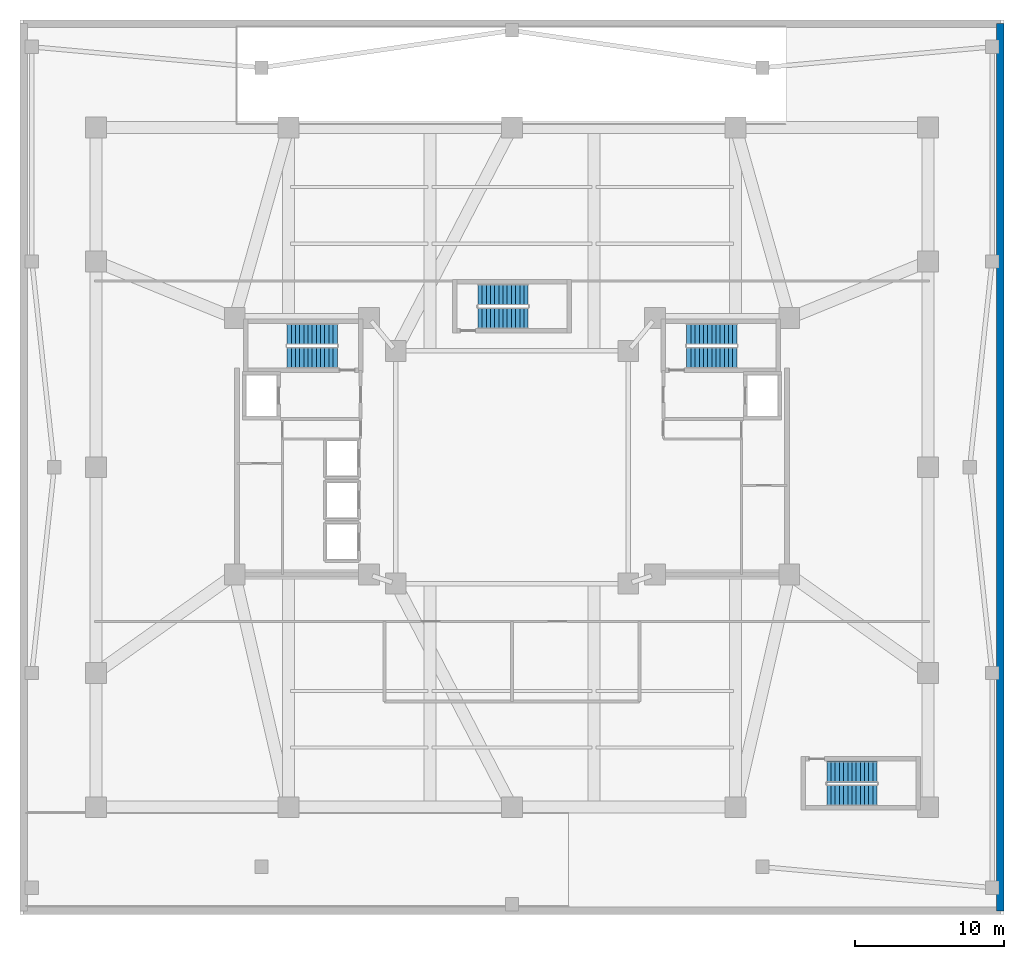
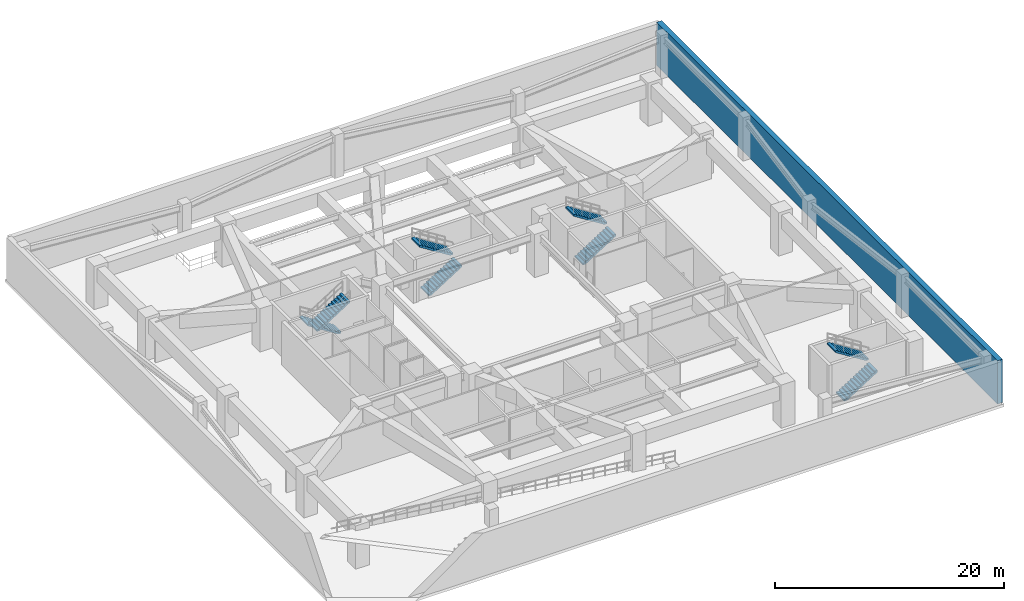
# One storey, part 5 of 8: 8 stair flights, 1 wall, 4 elements without a shape of their own.
"""IFC4 building model written with IfcOpenShell, lengths in metres."""

from ifc_helpers import new_model, si_unit, direction, frame, frame_2d, origin, place, context, subcontext, project, spatial, polyline, rectangle, outline, extrude, material, layer, layer_set, type_object, element, aggregate, save


model = new_model("IFC4")

# Units and contexts
model_context = context("Model", 3, precision=1e-05, world=origin(), true_north=direction((0.0, 1.0)))
body_context = subcontext(model_context, "Body", "Model", "MODEL_VIEW")
ifc_project = project(units=[si_unit("LENGTHUNIT", "METRE"), si_unit("AREAUNIT", "SQUARE_METRE"), si_unit("VOLUMEUNIT", "CUBIC_METRE"), si_unit("PLANEANGLEUNIT", "RADIAN"), si_unit("MASSUNIT", "GRAM", prefix="KILO")], contexts=[model_context])

# Site, building, storey
site_placement = place(None, origin())
site = spatial("IfcSite", under=ifc_project, at=site_placement, CompositionType="ELEMENT")
building_placement = place(site_placement, origin())
building = spatial("IfcBuilding", under=site, at=building_placement, Name="Tarnavaz Court Tower", CompositionType="ELEMENT")
storey_placement = place(building_placement, frame((0.0, 0.0, -4.60009765625)))
storey = spatial("IfcBuildingStorey", under=building, at=storey_placement, Name="B01", CompositionType="ELEMENT", Elevation=-4.60009765625)

# Wall
ifc_material_1 = material(Name="Concrete C50/60", Category="concrete")
ifc_layer = layer(ifc_material_1, 0.5)
ifc_layer_set = layer_set([ifc_layer], Name="Concrete C50/60")
wall_type = type_object("IfcWallType", Name="WL-RET-500", PredefinedType="USERDEFINED", material=ifc_layer_set)
wall_placement = place(storey_placement, frame((32.75, 29.75, 0.0), z_axis=(0.0, 0.0, 1.0), x_axis=(0.0, -1.0, 0.0)))
element("IfcWall", 1, at=wall_placement, inside=storey, type_object=wall_type, Name="B01 Perimeter Retaining Wall 2", ObjectType="RETAINING WALL", PredefinedType="USERDEFINED", context=body_context, shape_type="SweptSolid", body=[
    extrude(rectangle(XDim=59.5, YDim=0.5, at=frame_2d((29.75, 0.0))), origin(), (0.0, 0.0, 1.0), 4.60009765625),
])

# Stair, stair flights
ifc_material_2 = material(Name="Concrete C40/50", Category="concrete")
stair_type = type_object("IfcStairType", Name="ST-TWR-26R", PredefinedType="HALF_TURN_STAIR", material=ifc_material_2)
stair_1_placement = place(storey_placement, origin())
stair_1 = element("IfcStair", 2, at=stair_1_placement, inside=storey, type_object=stair_type, Name="B01 West Core Pressurized Exit Stair ST-W1", PredefinedType="HALF_TURN_STAIR")
stair_flight_type = type_object("IfcStairFlightType", Name="SFL-RC-26R", PredefinedType="STRAIGHT", material=ifc_material_2)
stair_flight_1_placement = place(storey_placement, frame((-11.719970703125, 8.929931640625, 0.0), z_axis=(0.0, 0.0, 1.0), x_axis=(-1.0, 0.0, 0.0)))
stair_flight_1 = element("IfcStairFlight", 3, at=stair_flight_1_placement, type_object=stair_flight_type, Name="ST-W1 flight 1", NumberOfRisers=13, NumberOfTreads=12, PredefinedType="STRAIGHT", RiserHeight=0.176923077, TreadLength=0.28, context=body_context, shape_type="SweptSolid", body=[
    extrude(outline(polyline([(0.0, 0.0), (0.0, 0.177001953125), (0.280029296875, 0.177001953125), (0.280029296875, 0.353759765625), (0.56005859375, 0.353759765625), (0.56005859375, 0.53076171875), (0.840087890625, 0.53076171875), (0.840087890625, 0.707763671875), (1.1201171875, 0.707763671875), (1.1201171875, 0.884521484375), (1.39990234375, 0.884521484375), (1.39990234375, 1.0615234375), (1.679931640625, 1.0615234375), (1.679931640625, 1.238525390625), (1.9599609375, 1.238525390625), (1.9599609375, 1.415283203125), (2.239990234375, 1.415283203125), (2.239990234375, 1.59228515625), (2.52001953125, 1.59228515625), (2.52001953125, 1.769287109375), (2.800048828125, 1.769287109375), (2.800048828125, 1.946044921875), (3.080078125, 1.946044921875), (3.080078125, 2.123046875), (3.360107421875, 2.123046875), (3.360107421875, 2.300048828125), (3.360107421875, 1.94580078125), (0.280517578125, 0.0), (0.0, 0.0)])), frame((0.0, 0.7099609375, 0.0), z_axis=(0.0, -1.0, 0.0), x_axis=(1.0, 0.0, 0.0)), (0.0, 0.0, 1.0), 1.419921875),
])
stair_flight_2_placement = place(storey_placement, frame((-15.080078125, 7.360107421875, 2.300048828125), z_axis=(0.0, 0.0, 1.0), x_axis=(1.0, 0.0, 0.0)))
stair_flight_2 = element("IfcStairFlight", 4, at=stair_flight_2_placement, type_object=stair_flight_type, Name="ST-W1 flight 2", NumberOfRisers=13, NumberOfTreads=12, PredefinedType="STRAIGHT", RiserHeight=0.176923077, TreadLength=0.28, context=body_context, shape_type="SweptSolid", body=[
    extrude(outline(polyline([(0.0, 0.0), (0.0, 0.177001953125), (0.280029296875, 0.177001953125), (0.280029296875, 0.353759765625), (0.56005859375, 0.353759765625), (0.56005859375, 0.53076171875), (0.840087890625, 0.53076171875), (0.840087890625, 0.707763671875), (1.1201171875, 0.707763671875), (1.1201171875, 0.884521484375), (1.39990234375, 0.884521484375), (1.39990234375, 1.0615234375), (1.679931640625, 1.0615234375), (1.679931640625, 1.238525390625), (1.9599609375, 1.238525390625), (1.9599609375, 1.415283203125), (2.239990234375, 1.415283203125), (2.239990234375, 1.59228515625), (2.52001953125, 1.59228515625), (2.52001953125, 1.769287109375), (2.800048828125, 1.769287109375), (2.800048828125, 1.946044921875), (3.080078125, 1.946044921875), (3.080078125, 2.123046875), (3.360107421875, 2.123046875), (3.360107421875, 2.300048828125), (3.360107421875, 1.94580078125), (0.280517578125, 0.0), (0.0, 0.0)])), frame((0.0, 0.7099609375, 0.0), z_axis=(0.0, -1.0, 0.0), x_axis=(1.0, 0.0, 0.0)), (0.0, 0.0, 1.0), 1.419921875),
])
aggregate(stair_1, [stair_flight_1, stair_flight_2])

stair_2_placement = place(storey_placement, origin())
stair_2 = element("IfcStair", 5, at=stair_2_placement, inside=storey, type_object=stair_type, Name="B01 East Core Pressurized Exit Stair ST-E1", PredefinedType="HALF_TURN_STAIR")
stair_flight_3_placement = place(storey_placement, frame((11.719970703125, 7.360107421875, 0.0), z_axis=(0.0, 0.0, 1.0), x_axis=(1.0, 0.0, 0.0)))
stair_flight_3 = element("IfcStairFlight", 6, at=stair_flight_3_placement, type_object=stair_flight_type, Name="ST-E1 flight 1", NumberOfRisers=13, NumberOfTreads=12, PredefinedType="STRAIGHT", RiserHeight=0.176923077, TreadLength=0.28, context=body_context, shape_type="SweptSolid", body=[
    extrude(outline(polyline([(0.0, 0.0), (0.0, 0.177001953125), (0.280029296875, 0.177001953125), (0.280029296875, 0.353759765625), (0.56005859375, 0.353759765625), (0.56005859375, 0.53076171875), (0.840087890625, 0.53076171875), (0.840087890625, 0.707763671875), (1.1201171875, 0.707763671875), (1.1201171875, 0.884521484375), (1.39990234375, 0.884521484375), (1.39990234375, 1.0615234375), (1.679931640625, 1.0615234375), (1.679931640625, 1.238525390625), (1.9599609375, 1.238525390625), (1.9599609375, 1.415283203125), (2.239990234375, 1.415283203125), (2.239990234375, 1.59228515625), (2.52001953125, 1.59228515625), (2.52001953125, 1.769287109375), (2.800048828125, 1.769287109375), (2.800048828125, 1.946044921875), (3.080078125, 1.946044921875), (3.080078125, 2.123046875), (3.360107421875, 2.123046875), (3.360107421875, 2.300048828125), (3.360107421875, 1.94580078125), (0.280517578125, 0.0), (0.0, 0.0)])), frame((0.0, 0.7099609375, 0.0), z_axis=(0.0, -1.0, 0.0), x_axis=(1.0, 0.0, 0.0)), (0.0, 0.0, 1.0), 1.419921875),
])
stair_flight_4_placement = place(storey_placement, frame((15.080078125, 8.929931640625, 2.300048828125), z_axis=(0.0, 0.0, 1.0), x_axis=(-1.0, 0.0, 0.0)))
stair_flight_4 = element("IfcStairFlight", 7, at=stair_flight_4_placement, type_object=stair_flight_type, Name="ST-E1 flight 2", NumberOfRisers=13, NumberOfTreads=12, PredefinedType="STRAIGHT", RiserHeight=0.176923077, TreadLength=0.28, context=body_context, shape_type="SweptSolid", body=[
    extrude(outline(polyline([(0.0, 0.0), (0.0, 0.177001953125), (0.280029296875, 0.177001953125), (0.280029296875, 0.353759765625), (0.56005859375, 0.353759765625), (0.56005859375, 0.53076171875), (0.840087890625, 0.53076171875), (0.840087890625, 0.707763671875), (1.1201171875, 0.707763671875), (1.1201171875, 0.884521484375), (1.39990234375, 0.884521484375), (1.39990234375, 1.0615234375), (1.679931640625, 1.0615234375), (1.679931640625, 1.238525390625), (1.9599609375, 1.238525390625), (1.9599609375, 1.415283203125), (2.239990234375, 1.415283203125), (2.239990234375, 1.59228515625), (2.52001953125, 1.59228515625), (2.52001953125, 1.769287109375), (2.800048828125, 1.769287109375), (2.800048828125, 1.946044921875), (3.080078125, 1.946044921875), (3.080078125, 2.123046875), (3.360107421875, 2.123046875), (3.360107421875, 2.300048828125), (3.360107421875, 1.94580078125), (0.280517578125, 0.0), (0.0, 0.0)])), frame((0.0, 0.7099609375, 0.0), z_axis=(0.0, -1.0, 0.0), x_axis=(1.0, 0.0, 0.0)), (0.0, 0.0, 1.0), 1.419921875),
])
aggregate(stair_2, [stair_flight_3, stair_flight_4])

stair_3_placement = place(storey_placement, origin())
stair_3 = element("IfcStair", 8, at=stair_3_placement, inside=storey, type_object=stair_type, Name="B01 North Ring Pressurized Exit Stair ST-N1", PredefinedType="HALF_TURN_STAIR")
stair_flight_5_placement = place(storey_placement, frame((-2.280029296875, 10.010009765625, 0.0), z_axis=(0.0, 0.0, 1.0), x_axis=(1.0, 0.0, 0.0)))
stair_flight_5 = element("IfcStairFlight", 9, at=stair_flight_5_placement, type_object=stair_flight_type, Name="ST-N1 flight 1", NumberOfRisers=13, NumberOfTreads=12, PredefinedType="STRAIGHT", RiserHeight=0.176923077, TreadLength=0.28, context=body_context, shape_type="SweptSolid", body=[
    extrude(outline(polyline([(0.0, 0.0), (0.0, 0.177001953125), (0.280029296875, 0.177001953125), (0.280029296875, 0.353759765625), (0.56005859375, 0.353759765625), (0.56005859375, 0.53076171875), (0.840087890625, 0.53076171875), (0.840087890625, 0.707763671875), (1.1201171875, 0.707763671875), (1.1201171875, 0.884521484375), (1.39990234375, 0.884521484375), (1.39990234375, 1.0615234375), (1.679931640625, 1.0615234375), (1.679931640625, 1.238525390625), (1.9599609375, 1.238525390625), (1.9599609375, 1.415283203125), (2.239990234375, 1.415283203125), (2.239990234375, 1.59228515625), (2.52001953125, 1.59228515625), (2.52001953125, 1.769287109375), (2.800048828125, 1.769287109375), (2.800048828125, 1.946044921875), (3.080078125, 1.946044921875), (3.080078125, 2.123046875), (3.360107421875, 2.123046875), (3.360107421875, 2.300048828125), (3.360107421875, 1.94580078125), (0.280517578125, 0.0), (0.0, 0.0)])), frame((0.0, 0.7099609375, 0.0), z_axis=(0.0, -1.0, 0.0), x_axis=(1.0, 0.0, 0.0)), (0.0, 0.0, 1.0), 1.419921875),
])
stair_flight_6_placement = place(storey_placement, frame((1.080078125, 11.580078125, 2.300048828125), z_axis=(0.0, 0.0, 1.0), x_axis=(-1.0, 0.0, 0.0)))
stair_flight_6 = element("IfcStairFlight", 10, at=stair_flight_6_placement, type_object=stair_flight_type, Name="ST-N1 flight 2", NumberOfRisers=13, NumberOfTreads=12, PredefinedType="STRAIGHT", RiserHeight=0.176923077, TreadLength=0.28, context=body_context, shape_type="SweptSolid", body=[
    extrude(outline(polyline([(0.0, 0.0), (0.0, 0.177001953125), (0.280029296875, 0.177001953125), (0.280029296875, 0.353759765625), (0.56005859375, 0.353759765625), (0.56005859375, 0.53076171875), (0.840087890625, 0.53076171875), (0.840087890625, 0.707763671875), (1.1201171875, 0.707763671875), (1.1201171875, 0.884521484375), (1.39990234375, 0.884521484375), (1.39990234375, 1.0615234375), (1.679931640625, 1.0615234375), (1.679931640625, 1.238525390625), (1.9599609375, 1.238525390625), (1.9599609375, 1.415283203125), (2.239990234375, 1.415283203125), (2.239990234375, 1.59228515625), (2.52001953125, 1.59228515625), (2.52001953125, 1.769287109375), (2.800048828125, 1.769287109375), (2.800048828125, 1.946044921875), (3.080078125, 1.946044921875), (3.080078125, 2.123046875), (3.360107421875, 2.123046875), (3.360107421875, 2.300048828125), (3.360107421875, 1.94580078125), (0.280517578125, 0.0), (0.0, 0.0)])), frame((0.0, 0.7099609375, 0.0), z_axis=(0.0, -1.0, 0.0), x_axis=(1.0, 0.0, 0.0)), (0.0, 0.0, 1.0), 1.419921875),
])
aggregate(stair_3, [stair_flight_5, stair_flight_6])

stair_4_placement = place(storey_placement, origin())
stair_4 = element("IfcStair", 11, at=stair_4_placement, inside=storey, type_object=stair_type, Name="B01 Podium Clinic Exit Stair ST-P1", PredefinedType="HALF_TURN_STAIR")
stair_flight_7_placement = place(storey_placement, frame((21.1201171875, -21.989990234375, 0.0), z_axis=(0.0, 0.0, 1.0), x_axis=(1.0, 0.0, 0.0)))
stair_flight_7 = element("IfcStairFlight", 12, at=stair_flight_7_placement, type_object=stair_flight_type, Name="ST-P1 flight 1", NumberOfRisers=13, NumberOfTreads=12, PredefinedType="STRAIGHT", RiserHeight=0.176923077, TreadLength=0.28, context=body_context, shape_type="SweptSolid", body=[
    extrude(outline(polyline([(0.0, 0.0), (0.0, 0.177001953125), (0.280029296875, 0.177001953125), (0.280029296875, 0.353759765625), (0.56005859375, 0.353759765625), (0.56005859375, 0.53076171875), (0.840087890625, 0.53076171875), (0.840087890625, 0.707763671875), (1.1201171875, 0.707763671875), (1.1201171875, 0.884521484375), (1.39990234375, 0.884521484375), (1.39990234375, 1.0615234375), (1.679931640625, 1.0615234375), (1.679931640625, 1.238525390625), (1.9599609375, 1.238525390625), (1.9599609375, 1.415283203125), (2.239990234375, 1.415283203125), (2.239990234375, 1.59228515625), (2.52001953125, 1.59228515625), (2.52001953125, 1.769287109375), (2.800048828125, 1.769287109375), (2.800048828125, 1.946044921875), (3.080078125, 1.946044921875), (3.080078125, 2.123046875), (3.360107421875, 2.123046875), (3.360107421875, 2.300048828125), (3.360107421875, 1.94580078125), (0.280517578125, 0.0), (0.0, 0.0)])), frame((0.0, 0.7099609375, 0.0), z_axis=(0.0, -1.0, 0.0), x_axis=(1.0, 0.0, 0.0)), (0.0, 0.0, 1.0), 1.419921875),
])
stair_flight_8_placement = place(storey_placement, frame((24.47998046875, -20.419921875, 2.300048828125), z_axis=(0.0, 0.0, 1.0), x_axis=(-1.0, 0.0, 0.0)))
stair_flight_8 = element("IfcStairFlight", 13, at=stair_flight_8_placement, type_object=stair_flight_type, Name="ST-P1 flight 2", NumberOfRisers=13, NumberOfTreads=12, PredefinedType="STRAIGHT", RiserHeight=0.176923077, TreadLength=0.28, context=body_context, shape_type="SweptSolid", body=[
    extrude(outline(polyline([(0.0, 0.0), (0.0, 0.177001953125), (0.280029296875, 0.177001953125), (0.280029296875, 0.353759765625), (0.56005859375, 0.353759765625), (0.56005859375, 0.53076171875), (0.840087890625, 0.53076171875), (0.840087890625, 0.707763671875), (1.1201171875, 0.707763671875), (1.1201171875, 0.884521484375), (1.39990234375, 0.884521484375), (1.39990234375, 1.0615234375), (1.679931640625, 1.0615234375), (1.679931640625, 1.238525390625), (1.9599609375, 1.238525390625), (1.9599609375, 1.415283203125), (2.239990234375, 1.415283203125), (2.239990234375, 1.59228515625), (2.52001953125, 1.59228515625), (2.52001953125, 1.769287109375), (2.800048828125, 1.769287109375), (2.800048828125, 1.946044921875), (3.080078125, 1.946044921875), (3.080078125, 2.123046875), (3.360107421875, 2.123046875), (3.360107421875, 2.300048828125), (3.360107421875, 1.94580078125), (0.280517578125, 0.0), (0.0, 0.0)])), frame((0.0, 0.7099609375, 0.0), z_axis=(0.0, -1.0, 0.0), x_axis=(1.0, 0.0, 0.0)), (0.0, 0.0, 1.0), 1.419921875),
])
aggregate(stair_4, [stair_flight_7, stair_flight_8])

save(model, "model.ifc")
